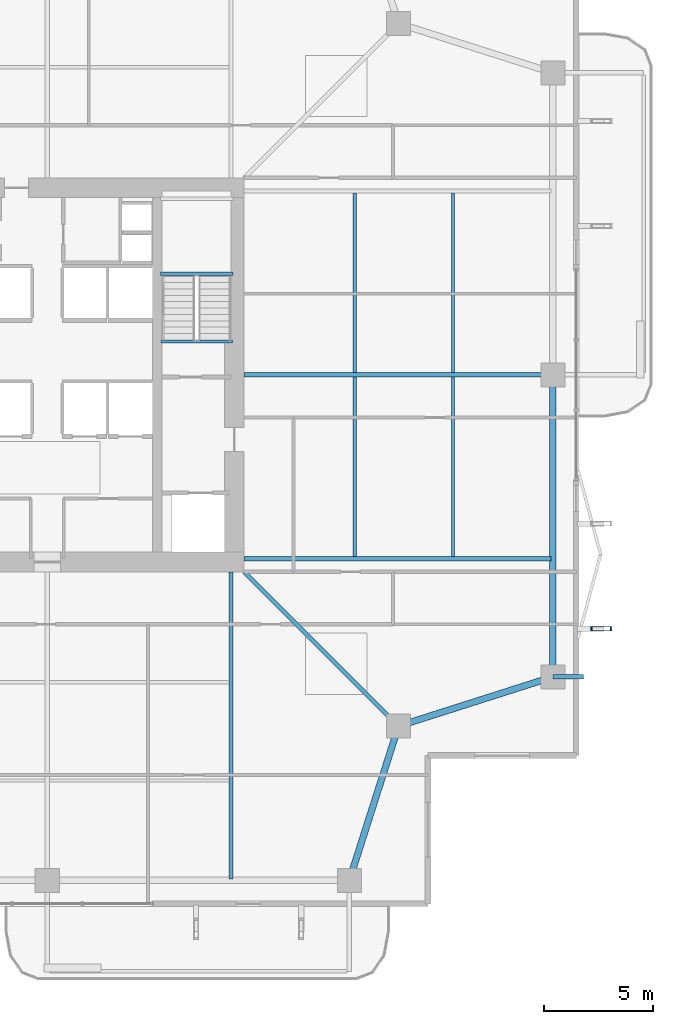
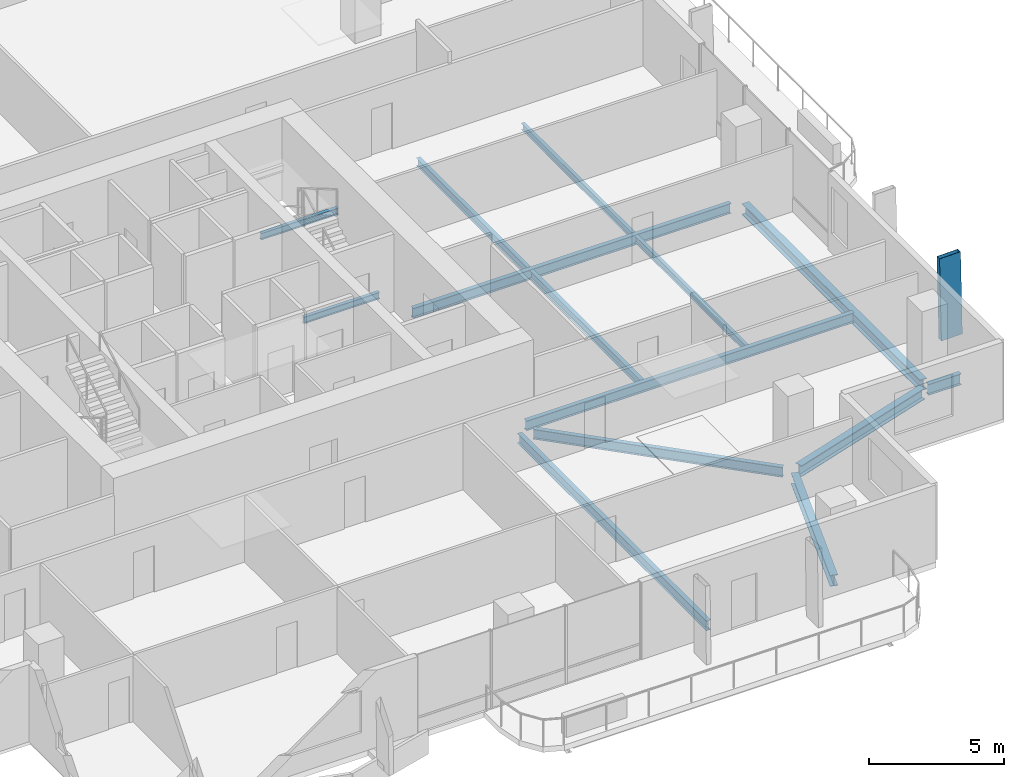
# One storey, part 9 of 24: 14 beams, 1 member.
"""IFC4 building model written with IfcOpenShell, lengths in metres."""

import ifcopenshell
import ifcopenshell.guid

model = None  # the IFC model being written
_history = None  # IfcOwnerHistory: only IFC2X3 demands one
_inside = {}  # id of a spatial element -> (the spatial element, [elements in it])
_under = {}  # id of a project, library or spatial element -> (it, [spatial elements below it])
_declared = {}  # id of a project -> (the project, [libraries it declares])
_typed = {}  # id of a type object -> (the type object, [elements of that type])
_made_of = {}  # id of a material, layer set ... -> (it, [elements and type objects made of it])


def new_model(schema):
    """Start an empty IFC model of exactly this schema.

    Asked for "IFC4X3", IfcOpenShell would pick the latest addendum, in which some entities
    have other attributes; the version numbers below select the first issue.
    IFC2X3 requires an IfcOwnerHistory on every rooted entity: one is made here for all.
    """
    global model, _history
    if schema == "IFC4X3":
        model = ifcopenshell.file(schema_version=(4, 3, 0, 0))
    else:
        model = ifcopenshell.file(schema=schema)
    _inside.clear()
    _under.clear()
    _declared.clear()
    _typed.clear()
    _made_of.clear()
    _history = None
    if model.schema == "IFC2X3":
        org = make("IfcOrganization", Name="unknown")
        user = make(
            "IfcPersonAndOrganization",
            ThePerson=make("IfcPerson", FamilyName="unknown"),
            TheOrganization=org,
        )
        app = make(
            "IfcApplication",
            ApplicationDeveloper=org,
            Version="unknown",
            ApplicationFullName="unknown",
            ApplicationIdentifier="unknown",
        )
        _history = make(
            "IfcOwnerHistory",
            OwningUser=user,
            OwningApplication=app,
            ChangeAction="ADDED",
            CreationDate=0,
        )
    return model


def make(cls, **values):
    """One entity of the class cls with the attributes given. An attribute that is None is left unset."""
    return model.create_entity(
        cls, **{name: value for name, value in values.items() if value is not None}
    )


def rooted(cls, **values):
    """An entity with a GlobalId (a new one), such as an element, a storey or a relation."""
    return make(cls, GlobalId=ifcopenshell.guid.new(), OwnerHistory=_history, **values)


def si_unit(unit_type, name, prefix=None):
    """IfcSIUnit, for example si_unit("LENGTHUNIT", "METRE", prefix="MILLI")."""
    return make("IfcSIUnit", UnitType=unit_type, Prefix=prefix, Name=name)


def assignment(units):
    """IfcUnitAssignment: the units of a project."""
    return None if units is None else make("IfcUnitAssignment", Units=units)


def point(xyz):
    """IfcCartesianPoint."""
    return None if xyz is None else make("IfcCartesianPoint", Coordinates=xyz)


def direction(xyz):
    """IfcDirection."""
    return None if xyz is None else make("IfcDirection", DirectionRatios=xyz)


def frame(location, z_axis=None, x_axis=None):
    """IfcAxis2Placement3D, a coordinate frame: its origin and axes. An axis left out is left unset."""
    return make(
        "IfcAxis2Placement3D",
        Location=point(location),
        Axis=direction(z_axis),
        RefDirection=direction(x_axis),
    )


def frame_2d(location, x_axis=None):
    """IfcAxis2Placement2D, a coordinate frame in the plane: its origin and x axis."""
    return make(
        "IfcAxis2Placement2D", Location=point(location), RefDirection=direction(x_axis)
    )


def origin():
    """The frame at (0, 0, 0) with its axes left unset."""
    return frame((0.0, 0.0, 0.0))


def origin_2d():
    """The frame at (0, 0) in the plane with its x axis left unset."""
    return frame_2d((0.0, 0.0))


def place(relative_to, where):
    """IfcLocalPlacement: puts the frame where relative to a parent placement (None: the world)."""
    return make(
        "IfcLocalPlacement", PlacementRelTo=relative_to, RelativePlacement=where
    )


def context(
    kind, dimensions, precision=None, world=None, true_north=None, identifier=None
):
    """IfcGeometricRepresentationContext, for example the 3D "Model" context."""
    return make(
        "IfcGeometricRepresentationContext",
        ContextIdentifier=identifier,
        ContextType=kind,
        CoordinateSpaceDimension=dimensions,
        Precision=precision,
        WorldCoordinateSystem=world,
        TrueNorth=true_north,
    )


def subcontext(parent, identifier, kind, view, scale=None):
    """IfcGeometricRepresentationSubContext, for example "Body" below "Model"."""
    return make(
        "IfcGeometricRepresentationSubContext",
        ContextIdentifier=identifier,
        ContextType=kind,
        ParentContext=parent,
        TargetScale=scale,
        TargetView=view,
    )


def project(units=None, contexts=None):
    """IfcProject with its units and contexts."""
    return rooted(
        "IfcProject",
        Name="project",
        RepresentationContexts=contexts,
        UnitsInContext=assignment(units),
    )


def spatial(cls, under=None, at=None, **own):
    """A site, building, storey or space (cls), placed at a placement, below another one or the project."""
    s = rooted(cls, ObjectPlacement=at, **own)
    if under is not None:
        _under.setdefault(under.id(), (under, []))[1].append(s)
    return s


def profile(cls, at=None, kind="AREA", **sizes):
    """A parametric profile (cls). Its sizes go by their IFC names, for example OverallWidth=200.0."""
    return make(cls, ProfileType=kind, Position=at, **sizes)


def hollow_rectangle(**sizes):
    """IfcRectangleHollowProfileDef."""
    return profile("IfcRectangleHollowProfileDef", **sizes)


def i_section(**sizes):
    """IfcIShapeProfileDef."""
    return profile("IfcIShapeProfileDef", **sizes)


def extrude(swept, where, along, depth):
    """IfcExtrudedAreaSolid: the profile swept, set in the frame where, extruded along a direction by depth."""
    return make(
        "IfcExtrudedAreaSolid",
        SweptArea=swept,
        Position=where,
        ExtrudedDirection=direction(along),
        Depth=depth,
    )


def shape(context_of_items, identifier, shape_type, items):
    """IfcShapeRepresentation: the items that make up one representation, for example the "Body"."""
    return make(
        "IfcShapeRepresentation",
        ContextOfItems=context_of_items,
        RepresentationIdentifier=identifier,
        RepresentationType=shape_type,
        Items=items,
    )


def material(Name=None, Category=None):
    """IfcMaterial."""
    return make("IfcMaterial", Name=Name, Category=Category)


def material_profile(
    of_material, cross_section, Name=None, Category=None, Priority=None
):
    """IfcMaterialProfile: a cross section and its material."""
    return make(
        "IfcMaterialProfile",
        Name=Name,
        Material=of_material,
        Profile=cross_section,
        Priority=Priority,
        Category=Category,
    )


def profile_set(profiles, Name=None, composite=None):
    """IfcMaterialProfileSet."""
    return make(
        "IfcMaterialProfileSet",
        Name=Name,
        MaterialProfiles=profiles,
        CompositeProfile=composite,
    )


def made_of(thing, what):
    """Note that an element or type object is made of a material, layer set ...; save() writes the relation."""
    if what is not None:
        _made_of.setdefault(what.id(), (what, []))[1].append(thing)
    return thing


def type_object(cls, material=None, **own):
    """A type object (cls), such as IfcWallType, which elements share."""
    return made_of(rooted(cls, **own), material)


def element(
    cls,
    number,
    at=None,
    inside=None,
    cuts=None,
    type_object=None,
    material=None,
    context=None,
    identifier="Body",
    shape_type=None,
    held_by="IfcProductDefinitionShape",
    body=None,
    shapes=None,
    **own,
):
    """One element of the class cls, such as IfcWall. Its Tag is "e" and its number.

    at: its placement. inside: the storey or other place that contains it. cuts: it is an
    opening in that element (IfcRelVoidsElement). A single representation is given by context,
    identifier, shape_type and body (its items); several are given by shapes. held_by: the class
    of the entity that holds the representations. save() writes the other relations.
    """
    e = rooted(cls, Tag="e%d" % number, ObjectPlacement=at, **own)
    if body is not None:
        shapes = [shape(context, identifier, shape_type, body)]
    if shapes is not None:
        e.Representation = make(held_by, Representations=shapes)
    if inside is not None:
        _inside.setdefault(inside.id(), (inside, []))[1].append(e)
    if cuts is not None:
        rooted(
            "IfcRelVoidsElement", RelatingBuildingElement=cuts, RelatedOpeningElement=e
        )
    if type_object is not None:
        _typed.setdefault(type_object.id(), (type_object, []))[1].append(e)
    return made_of(e, material)


def aggregate(whole, parts):
    """IfcRelAggregates: a whole, such as a stair, and the parts it consists of."""
    return rooted("IfcRelAggregates", RelatingObject=whole, RelatedObjects=parts)


def save(model, path):
    """Write the relations noted so far, then the file.

    IfcRelAggregates (storeys below a building ...), IfcRelContainedInSpatialStructure (elements
    in a storey), IfcRelDefinesByType, IfcRelAssociatesMaterial and IfcRelDeclares: one each for
    every whole, place, type object, material and project.
    """
    for whole, parts in _under.values():
        aggregate(whole, parts)
    for where, things in _inside.values():
        rooted(
            "IfcRelContainedInSpatialStructure",
            RelatedElements=things,
            RelatingStructure=where,
        )
    for kind, things in _typed.values():
        rooted("IfcRelDefinesByType", RelatedObjects=things, RelatingType=kind)
    for what, things in _made_of.values():
        rooted("IfcRelAssociatesMaterial", RelatedObjects=things, RelatingMaterial=what)
    for by, libraries in _declared.values():
        rooted("IfcRelDeclares", RelatingContext=by, RelatedDefinitions=libraries)
    model.write(path)


model = new_model("IFC4")

# Units and contexts
model_context = context("Model", 3, precision=1e-05, world=origin(), true_north=direction((0.0, 1.0)))
body_context = subcontext(model_context, "Body", "Model", "MODEL_VIEW")
ifc_project = project(units=[si_unit("LENGTHUNIT", "METRE"), si_unit("AREAUNIT", "SQUARE_METRE"), si_unit("VOLUMEUNIT", "CUBIC_METRE"), si_unit("PLANEANGLEUNIT", "RADIAN"), si_unit("MASSUNIT", "GRAM", prefix="KILO")], contexts=[model_context])

# Site, building, storey
site_placement = place(None, origin())
site = spatial("IfcSite", under=ifc_project, at=site_placement, CompositionType="ELEMENT")
building_placement = place(site_placement, origin())
building = spatial("IfcBuilding", under=site, at=building_placement, Name="Belovzor Exchange Tower", CompositionType="ELEMENT")
storey_placement = place(building_placement, frame((0.0, 0.0, 168.300048828125)))
storey = spatial("IfcBuildingStorey", under=building, at=storey_placement, Name="L41", CompositionType="ELEMENT", Elevation=168.300048828125)

# Beams
ifc_material_1 = material(Name="Steel S355", Category="steel")
ifc_material_profile_1 = material_profile(ifc_material_1, i_section(OverallWidth=0.199951171875, OverallDepth=0.5, WebThickness=0.01025390625, FlangeThickness=0.01611328125, at=origin_2d()))
ifc_profile_set_1 = profile_set([ifc_material_profile_1], Name="Steel S355")
beam_type_1 = type_object("IfcBeamType", Name="Planted Balcony Cantilever Beam IPE 500", PredefinedType="BEAM", material=ifc_profile_set_1)
beam_1_placement = place(storey_placement, frame((51.89990234375, 15.0, -0.505126953125), z_axis=(1.0, 0.0, 0.0), x_axis=(0.0, 1.0, 0.0)))
element("IfcBeam", 1, at=beam_1_placement, inside=storey, type_object=beam_type_1, Name="BC-500 Planted Balcony Cantilever Beam IPE 500", PredefinedType="BEAM", context=body_context, shape_type="SweptSolid", body=[
    extrude(i_section(OverallWidth=0.199951171875, OverallDepth=0.5, WebThickness=0.01025390625, FlangeThickness=0.01611328125, at=origin_2d()), origin(), (0.0, 0.0, 1.0), 1.400146484375),
])
ifc_material_2 = material(Name="Steel S355", Category="steel")
ifc_material_profile_2 = material_profile(ifc_material_2, i_section(OverallWidth=0.169921875, OverallDepth=0.360107421875, WebThickness=0.008056640625, FlangeThickness=0.0126953125, at=origin_2d()))
ifc_profile_set_2 = profile_set([ifc_material_profile_2], Name="Steel S355")
beam_type_2 = type_object("IfcBeamType", Name="Secondary Infill Floor Joist IPE 360", PredefinedType="BEAM", material=ifc_profile_set_2)
for number, where, z_axis, x_axis, name in (
    (2, (42.84912109375, 20.4951171875, -0.43505859375), (0.0, 1.0, 0.0), (-1.0, 0.0, 0.0), "FJ-360 Secondary Infill Floor Joist IPE 360"),
    (3, (42.84912109375, 28.89501953125, -0.43505859375), (0.0, 1.0, 0.0), (-1.0, 0.0, 0.0), "FJ-360 Secondary Infill Floor Joist IPE 360"),
):
    element("IfcBeam", number, at=place(storey_placement, frame(where, z_axis=z_axis, x_axis=x_axis)), inside=storey, type_object=beam_type_2, Name=name, PredefinedType="BEAM", context=body_context, shape_type="SweptSolid", body=[
        extrude(i_section(OverallWidth=0.169921875, OverallDepth=0.360107421875, WebThickness=0.008056640625, FlangeThickness=0.0126953125, at=origin_2d()), origin(), (0.0, 0.0, 1.0), 8.2099609375),
    ])
ifc_material_3 = material(Name="Steel S355", Category="steel")
ifc_material_profile_3 = material_profile(ifc_material_3, i_section(OverallWidth=0.14990234375, OverallDepth=0.300048828125, WebThickness=0.007080078125, FlangeThickness=0.0107421875, at=origin_2d()))
ifc_profile_set_3 = profile_set([ifc_material_profile_3], Name="Steel S355")
beam_type_3 = type_object("IfcBeamType", Name="Secondary Trim Floor Joist IPE 300", PredefinedType="BEAM", material=ifc_profile_set_3)
beam_2_placement = place(storey_placement, frame((37.280029296875, 33.419921875, 1.52490234375), z_axis=(-1.0, 0.0, 0.0), x_axis=(0.0, -1.0, 0.0)))
element("IfcBeam", 4, at=beam_2_placement, inside=storey, type_object=beam_type_3, Name="FJ-300 Secondary Trim Floor Joist IPE 300", PredefinedType="BEAM", context=body_context, shape_type="SweptSolid", body=[
    extrude(i_section(OverallWidth=0.14990234375, OverallDepth=0.300048828125, WebThickness=0.007080078125, FlangeThickness=0.0107421875, at=origin_2d()), origin(), (0.0, 0.0, 1.0), 3.31005859375),
])
beam_3_placement = place(storey_placement, frame((37.260009765625, 30.320068359375, -0.405029296875), z_axis=(-1.0, 0.0, 0.0), x_axis=(0.0, -1.0, 0.0)))
element("IfcBeam", 5, at=beam_3_placement, inside=storey, type_object=beam_type_3, Name="FJ-300 Secondary Trim Floor Joist IPE 300", PredefinedType="BEAM", context=body_context, shape_type="SweptSolid", body=[
    extrude(i_section(OverallWidth=0.14990234375, OverallDepth=0.300048828125, WebThickness=0.007080078125, FlangeThickness=0.0107421875, at=origin_2d()), origin(), (0.0, 0.0, 1.0), 3.27001953125),
])
for number, where, z_axis, x_axis, name in (
    (6, (47.3369140625, 20.4951171875, -0.405029296875), (0.0, 1.0, 0.0), (-1.0, 0.0, 0.0), "FJ-300 Secondary Trim Floor Joist IPE 300"),
    (7, (47.3369140625, 28.89501953125, -0.405029296875), (0.0, 1.0, 0.0), (-1.0, 0.0, 0.0), "FJ-300 Secondary Trim Floor Joist IPE 300"),
):
    element("IfcBeam", number, at=place(storey_placement, frame(where, z_axis=z_axis, x_axis=x_axis)), inside=storey, type_object=beam_type_3, Name=name, PredefinedType="BEAM", context=body_context, shape_type="SweptSolid", body=[
        extrude(i_section(OverallWidth=0.14990234375, OverallDepth=0.300048828125, WebThickness=0.007080078125, FlangeThickness=0.0107421875, at=origin_2d()), origin(), (0.0, 0.0, 1.0), 8.2099609375),
    ])

# Member
ifc_material_4 = material(Name="Extruded Architectural Terracotta on Steel S355 Carrier", Category="masonry")
ifc_material_profile_4 = material_profile(ifc_material_4, hollow_rectangle(XDim=0.199951171875, YDim=0.89990234375, WallThickness=0.011962890625, at=origin_2d()))
ifc_profile_set_4 = profile_set([ifc_material_profile_4], Name="Extruded Architectural Terracotta on Steel S355 Carrier")
member_type = type_object("IfcMemberType", Name="Sweeping Terracotta Baguette Fin Assembly 1250", PredefinedType="USERDEFINED", material=ifc_profile_set_4)
member_placement = place(storey_placement, frame((54.159912109375, 17.199951171875, -0.255126953125), z_axis=(-0.0210239979, 0.0, 0.999778971329), x_axis=(0.0, -1.0, 0.0)))
element("IfcMember", 8, at=member_placement, inside=storey, type_object=member_type, Name="FIN-TC125 Terracotta Facade Fin L41 E1", ObjectType="FIN", PredefinedType="USERDEFINED", context=body_context, shape_type="SweptSolid", body=[
    extrude(hollow_rectangle(XDim=0.199951171875, YDim=0.89990234375, WallThickness=0.011962890625, at=origin_2d()), origin(), (0.0, 0.0, 1.0), 3.750732421875),
])

# Beams
ifc_material_5 = material(Name="Steel S355", Category="steel")
ifc_material_profile_5 = material_profile(ifc_material_5, i_section(OverallWidth=0.18994140625, OverallDepth=0.449951171875, WebThickness=0.009521484375, FlangeThickness=0.0146484375, at=origin_2d()))
ifc_profile_set_5 = profile_set([ifc_material_profile_5], Name="Steel S355")
beam_type_4 = type_object("IfcBeamType", Name="Zone 2-4 Radial Composite Floor Beam IPE 450", PredefinedType="BEAM", material=ifc_profile_set_5)
beam_4_placement = place(storey_placement, frame((37.199951171875, 19.800048828125, -0.47998046875), z_axis=(0.0, -1.0, 0.0), x_axis=(1.0, 0.0, 0.0)))
element("IfcBeam", 9, at=beam_4_placement, inside=storey, type_object=beam_type_4, Name="FB-450 Zone 2-4 Radial Composite Floor Beam IPE 450", PredefinedType="BEAM", context=body_context, shape_type="SweptSolid", body=[
    extrude(i_section(OverallWidth=0.18994140625, OverallDepth=0.449951171875, WebThickness=0.009521484375, FlangeThickness=0.0146484375, at=origin_2d()), origin(), (0.0, 0.0, 1.0), 14.025146484375),
])
beam_5_placement = place(storey_placement, frame((37.800048828125, 20.39990234375, -0.47998046875), z_axis=(1.0, 0.0, 0.0), x_axis=(0.0, 1.0, 0.0)))
element("IfcBeam", 10, at=beam_5_placement, inside=storey, type_object=beam_type_4, Name="FB-450 Zone 2-4 Radial Composite Floor Beam IPE 450", PredefinedType="BEAM", context=body_context, shape_type="SweptSolid", body=[
    extrude(i_section(OverallWidth=0.18994140625, OverallDepth=0.449951171875, WebThickness=0.009521484375, FlangeThickness=0.0146484375, at=origin_2d()), origin(), (0.0, 0.0, 1.0), 14.02490234375),
])
beam_6_placement = place(storey_placement, frame((37.800048828125, 28.800048828125, -0.47998046875), z_axis=(1.0, 0.0, 0.0), x_axis=(0.0, 1.0, 0.0)))
element("IfcBeam", 11, at=beam_6_placement, inside=storey, type_object=beam_type_4, Name="FB-450 Zone 2-4 Radial Composite Floor Beam IPE 450", PredefinedType="BEAM", context=body_context, shape_type="SweptSolid", body=[
    extrude(i_section(OverallWidth=0.18994140625, OverallDepth=0.449951171875, WebThickness=0.009521484375, FlangeThickness=0.0146484375, at=origin_2d()), origin(), (0.0, 0.0, 1.0), 13.615966796875),
])
beam_7_placement = place(storey_placement, frame((37.800048828125, 19.800048828125, -0.47998046875), z_axis=(0.707094040639, -0.707119521505, 0.0), x_axis=(0.707119521505, 0.707094040639, 0.0)))
element("IfcBeam", 12, at=beam_7_placement, inside=storey, type_object=beam_type_4, Name="FB-450 Zone 2-4 Radial Composite Floor Beam IPE 450", PredefinedType="BEAM", context=body_context, shape_type="SweptSolid", body=[
    extrude(i_section(OverallWidth=0.18994140625, OverallDepth=0.449951171875, WebThickness=0.009521484375, FlangeThickness=0.0146484375, at=origin_2d()), origin(), (0.0, 0.0, 1.0), 9.581298828125),
])
ifc_material_6 = material(Name="Steel S355", Category="steel")
ifc_material_profile_6 = material_profile(ifc_material_6, i_section(OverallWidth=0.300048828125, OverallDepth=0.5, WebThickness=0.014404296875, FlangeThickness=0.028076171875, at=origin_2d()))
ifc_profile_set_6 = profile_set([ifc_material_profile_6], Name="Steel S355")
beam_type_5 = type_object("IfcBeamType", Name="Zone 3 Waist Primary Girder HEB 500", PredefinedType="BEAM", material=ifc_profile_set_6)
for number, where, z_axis, x_axis, name in (
    (13, (42.69189453125, 5.988037109375, -0.505126953125), (0.304044336164, 0.952657882792, 0.0), (-0.952657882792, 0.304044336164, 0.0), "FG-Z3 Zone 3 Waist Primary Girder HEB 500"),
    (14, (45.137939453125, 12.842041015625, -0.505126953125), (0.952671608699, 0.304001325621, 0.0), (-0.304001325621, 0.952671608699, 0.0), "FG-Z3 Zone 3 Waist Primary Girder HEB 500"),
):
    element("IfcBeam", number, at=place(storey_placement, frame(where, z_axis=z_axis, x_axis=x_axis)), inside=storey, type_object=beam_type_5, Name=name, PredefinedType="BEAM", context=body_context, shape_type="SweptSolid", body=[
        extrude(i_section(OverallWidth=0.300048828125, OverallDepth=0.5, WebThickness=0.014404296875, FlangeThickness=0.028076171875, at=origin_2d()), origin(), (0.0, 0.0, 1.0), 6.795654296875),
    ])
beam_8_placement = place(storey_placement, frame((51.89990234375, 15.302978515625, -0.505126953125), z_axis=(0.0, 1.0, 0.0), x_axis=(-1.0, 0.0, 0.0)))
element("IfcBeam", 15, at=beam_8_placement, inside=storey, type_object=beam_type_5, Name="FG-Z3 Zone 3 Waist Primary Girder HEB 500", PredefinedType="BEAM", context=body_context, shape_type="SweptSolid", body=[
    extrude(i_section(OverallWidth=0.300048828125, OverallDepth=0.5, WebThickness=0.014404296875, FlangeThickness=0.028076171875, at=origin_2d()), origin(), (0.0, 0.0, 1.0), 13.195068359375),
])

save(model, "model.ifc")
